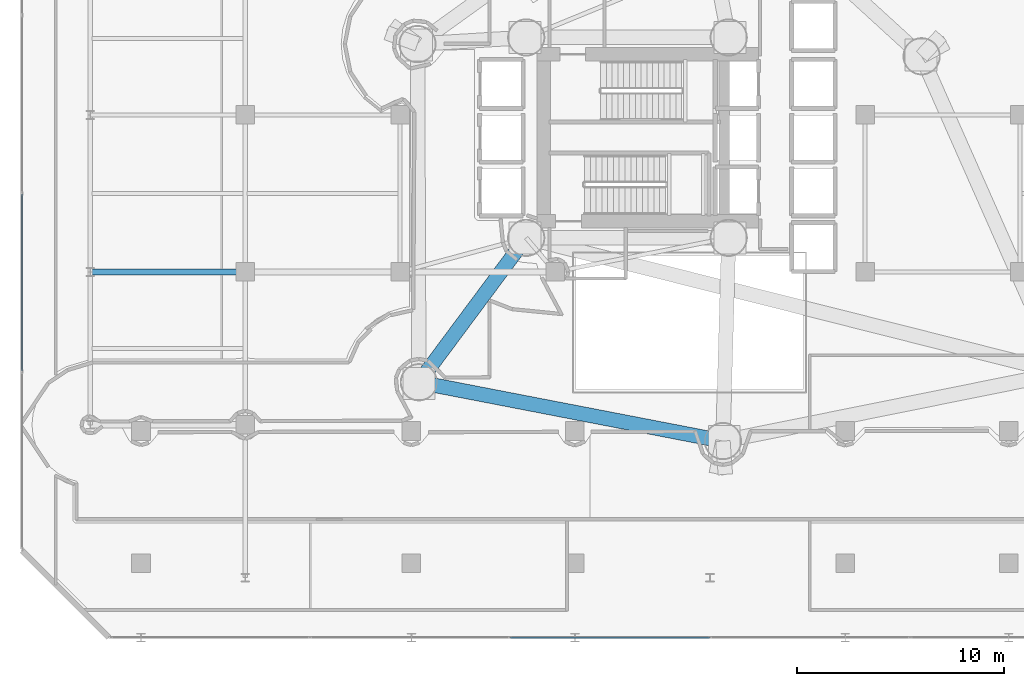
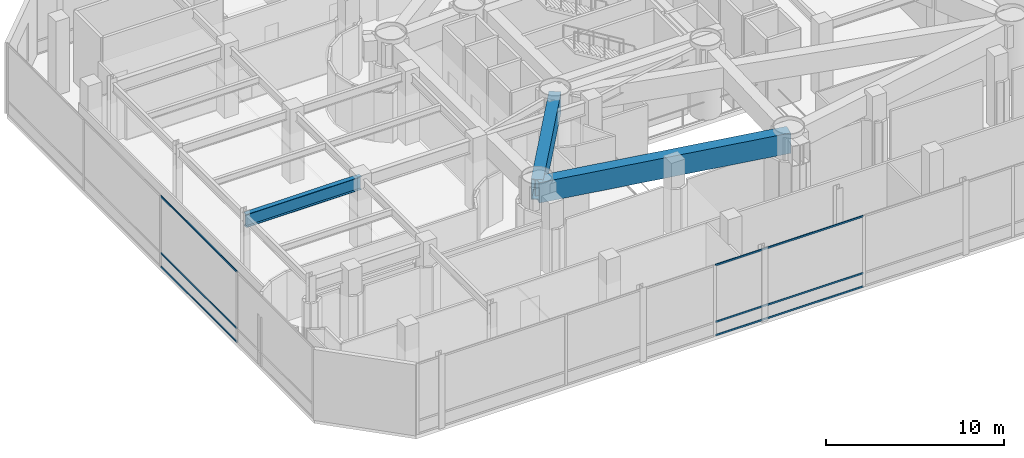
# One storey, part 8 of 40: 6 members, 3 beams, 2 elements without a shape of their own.
"""IFC4 building model written with IfcOpenShell, lengths in metres."""

from ifc_helpers import new_model, si_unit, direction, frame, origin, origin_2d, place, context, subcontext, project, spatial, hollow_rectangle, i_section, extrude, material, layer, layer_set, material_profile, profile_set, type_object, element, aggregate, save


model = new_model("IFC4")

# Units and contexts
model_context = context("Model", 3, precision=1e-05, world=origin(), true_north=direction((0.0, 1.0)))
body_context = subcontext(model_context, "Body", "Model", "MODEL_VIEW")
ifc_project = project(units=[si_unit("LENGTHUNIT", "METRE"), si_unit("AREAUNIT", "SQUARE_METRE"), si_unit("VOLUMEUNIT", "CUBIC_METRE"), si_unit("PLANEANGLEUNIT", "RADIAN"), si_unit("MASSUNIT", "GRAM", prefix="KILO")], contexts=[model_context])

# Site, building, storey
site_placement = place(None, origin())
site = spatial("IfcSite", under=ifc_project, at=site_placement, CompositionType="ELEMENT")
building_placement = place(site_placement, origin())
building = spatial("IfcBuilding", under=site, at=building_placement, Name="Qianvela Tower", CompositionType="ELEMENT")
storey_placement = place(building_placement, frame((0.0, 0.0, 20.60009765625)))
storey = spatial("IfcBuildingStorey", under=building, at=storey_placement, Name="L04", CompositionType="ELEMENT", Elevation=20.60009765625)

# Beams
ifc_material_1 = material(Name="Steel Q355B", Category="steel")
ifc_material_profile_1 = material_profile(ifc_material_1, i_section(OverallWidth=0.300048828125, OverallDepth=0.89990234375, WebThickness=0.01611328125, FlangeThickness=0.028076171875, at=origin_2d()), Name="HN900x300x16x28")
ifc_profile_set_1 = profile_set([ifc_material_profile_1], Name="Steel Q355B")
beam_type_1 = type_object("IfcBeamType", Name="BM-HN900-SPAND", PredefinedType="SPANDREL", material=ifc_profile_set_1)
beam_1_placement = place(storey_placement, frame((7.5, 22.199951171875, 4.347900390625), z_axis=(1.0, 0.0, 0.0), x_axis=(0.0, 1.0, 0.0)))
element("IfcBeam", 1, at=beam_1_placement, inside=storey, type_object=beam_type_1, Name="L04 East-West Grid Girder 3", PredefinedType="SPANDREL", context=body_context, shape_type="SweptSolid", body=[
    extrude(i_section(OverallWidth=0.300048828125, OverallDepth=0.89990234375, WebThickness=0.01611328125, FlangeThickness=0.028076171875, at=origin_2d()), origin(), (0.0, 0.0, 1.0), 7.5),
])
ifc_material_2 = material(Name="Steel Q420GJC", Category="steel")
ifc_material_profile_2 = material_profile(ifc_material_2, hollow_rectangle(XDim=0.699951171875, YDim=1.39990234375, WallThickness=0.0400390625, at=origin_2d()), Name="TG-BOX-1400x700x40")
ifc_profile_set_2 = profile_set([ifc_material_profile_2], Name="Steel Q420GJC")
beam_type_2 = type_object("IfcBeamType", Name="BM-TG-RAD-1400", PredefinedType="BEAM", material=ifc_profile_set_2)
beam_2_placement = place(storey_placement, frame((23.404052734375, 16.860107421875, 4.097900390625), z_axis=(0.981833040292, -0.189746886646, 0.0), x_axis=(0.189746886646, 0.981833040292, 0.0)))
element("IfcBeam", 2, at=beam_2_placement, inside=storey, type_object=beam_type_2, Name="L04 Perimeter Belt-Truss Top Ring Girder 5", PredefinedType="BEAM", context=body_context, shape_type="SweptSolid", body=[
    extrude(hollow_rectangle(XDim=0.699951171875, YDim=1.39990234375, WallThickness=0.0400390625, at=origin_2d()), origin(), (0.0, 0.0, 1.0), 14.98828125),
])
beam_3_placement = place(storey_placement, frame((28.60009765625, 23.85009765625, 4.097900390625), z_axis=(-0.596581498031, -0.802552500593, 0.0), x_axis=(0.802552500593, -0.596581498031, 0.0)))
element("IfcBeam", 3, at=beam_3_placement, inside=storey, type_object=beam_type_2, Name="L04 Radial Outrigger Top Transfer Girder 5", PredefinedType="BEAM", context=body_context, shape_type="SweptSolid", body=[
    extrude(hollow_rectangle(XDim=0.699951171875, YDim=1.39990234375, WallThickness=0.0400390625, at=origin_2d()), origin(), (0.0, 0.0, 1.0), 8.709716796875),
])

# Curtain wall, members
ifc_material_3 = material(Name="Anodised Architectural Aluminium and Low-E Glass", Category="aluminium")
ifc_layer = layer(ifc_material_3, 0.179931640625)
ifc_layer_set = layer_set([ifc_layer], Name="Anodised Architectural Aluminium and Low-E Glass")
curtain_wall_type = type_object("IfcCurtainWallType", Name="CW-COMMONS", PredefinedType="USERDEFINED", material=ifc_layer_set)
curtain_wall_1_placement = place(storey_placement, origin())
curtain_wall_1 = element("IfcCurtainWall", 4, at=curtain_wall_1_placement, inside=storey, type_object=curtain_wall_type, Name="L04 CW-COMMONS Curtain Wall 01", ObjectType="CURTAIN_WALL_SYSTEM", PredefinedType="USERDEFINED")
ifc_material_4 = material(Name="Anodised Architectural Aluminium 6063-T6", Category="aluminium")
ifc_material_profile_3 = material_profile(ifc_material_4, hollow_rectangle(XDim=0.06005859375, YDim=0.114990234375, WallThickness=0.00390625, at=origin_2d()), Name="ALU-TRAN-60x115")
ifc_profile_set_3 = profile_set([ifc_material_profile_3], Name="Anodised Architectural Aluminium 6063-T6")
member_type = type_object("IfcMemberType", Name="CW-COMMONS-TRAN", PredefinedType="USERDEFINED", material=ifc_profile_set_3)
member_1_placement = place(storey_placement, frame((27.8515625, 4.5, 0.02978515625), z_axis=(1.0, 0.0, 0.0), x_axis=(0.0, 1.0, 0.0)))
member_1 = element("IfcMember", 5, at=member_1_placement, type_object=member_type, Name="CW-2 transom 3.1", ObjectType="TRANSOM", PredefinedType="USERDEFINED", context=body_context, shape_type="SweptSolid", body=[
    extrude(hollow_rectangle(XDim=0.06005859375, YDim=0.114990234375, WallThickness=0.00390625, at=origin_2d()), origin(), (0.0, 0.0, 1.0), 9.613525390625),
])
member_2_placement = place(storey_placement, frame((27.8515625, 4.5, 0.949951171875), z_axis=(1.0, 0.0, 0.0), x_axis=(0.0, 1.0, 0.0)))
member_2 = element("IfcMember", 6, at=member_2_placement, type_object=member_type, Name="CW-2 transom 3.2", ObjectType="TRANSOM", PredefinedType="USERDEFINED", context=body_context, shape_type="SweptSolid", body=[
    extrude(hollow_rectangle(XDim=0.06005859375, YDim=0.114990234375, WallThickness=0.00390625, at=origin_2d()), origin(), (0.0, 0.0, 1.0), 9.613525390625),
])
member_3_placement = place(storey_placement, frame((27.8515625, 4.5, 4.849853515625), z_axis=(1.0, 0.0, 0.0), x_axis=(0.0, 1.0, 0.0)))
member_3 = element("IfcMember", 7, at=member_3_placement, type_object=member_type, Name="CW-2 transom 3.3", ObjectType="TRANSOM", PredefinedType="USERDEFINED", context=body_context, shape_type="SweptSolid", body=[
    extrude(hollow_rectangle(XDim=0.06005859375, YDim=0.114990234375, WallThickness=0.00390625, at=origin_2d()), origin(), (0.0, 0.0, 1.0), 9.613525390625),
])
aggregate(curtain_wall_1, [member_1, member_2, member_3])

curtain_wall_2_placement = place(storey_placement, origin())
curtain_wall_2 = element("IfcCurtainWall", 8, at=curtain_wall_2_placement, inside=storey, type_object=curtain_wall_type, Name="L04 CW-COMMONS Curtain Wall 07", ObjectType="CURTAIN_WALL_SYSTEM", PredefinedType="USERDEFINED")
member_4_placement = place(storey_placement, frame((4.199951171875, 25.965087890625, 0.02978515625), z_axis=(0.0, -1.0, 0.0), x_axis=(1.0, 0.0, 0.0)))
member_4 = element("IfcMember", 9, at=member_4_placement, type_object=member_type, Name="CW-2 transom 3.1", ObjectType="TRANSOM", PredefinedType="USERDEFINED", context=body_context, shape_type="SweptSolid", body=[
    extrude(hollow_rectangle(XDim=0.06005859375, YDim=0.114990234375, WallThickness=0.00390625, at=origin_2d()), origin(), (0.0, 0.0, 1.0), 8.55517578125),
])
member_5_placement = place(storey_placement, frame((4.199951171875, 25.965087890625, 0.949951171875), z_axis=(0.0, -1.0, 0.0), x_axis=(1.0, 0.0, 0.0)))
member_5 = element("IfcMember", 10, at=member_5_placement, type_object=member_type, Name="CW-2 transom 3.2", ObjectType="TRANSOM", PredefinedType="USERDEFINED", context=body_context, shape_type="SweptSolid", body=[
    extrude(hollow_rectangle(XDim=0.06005859375, YDim=0.114990234375, WallThickness=0.00390625, at=origin_2d()), origin(), (0.0, 0.0, 1.0), 8.55517578125),
])
member_6_placement = place(storey_placement, frame((4.199951171875, 25.965087890625, 4.849853515625), z_axis=(0.0, -1.0, 0.0), x_axis=(1.0, 0.0, 0.0)))
member_6 = element("IfcMember", 11, at=member_6_placement, type_object=member_type, Name="CW-2 transom 3.3", ObjectType="TRANSOM", PredefinedType="USERDEFINED", context=body_context, shape_type="SweptSolid", body=[
    extrude(hollow_rectangle(XDim=0.06005859375, YDim=0.114990234375, WallThickness=0.00390625, at=origin_2d()), origin(), (0.0, 0.0, 1.0), 8.55517578125),
])
aggregate(curtain_wall_2, [member_4, member_5, member_6])

save(model, "model.ifc")
